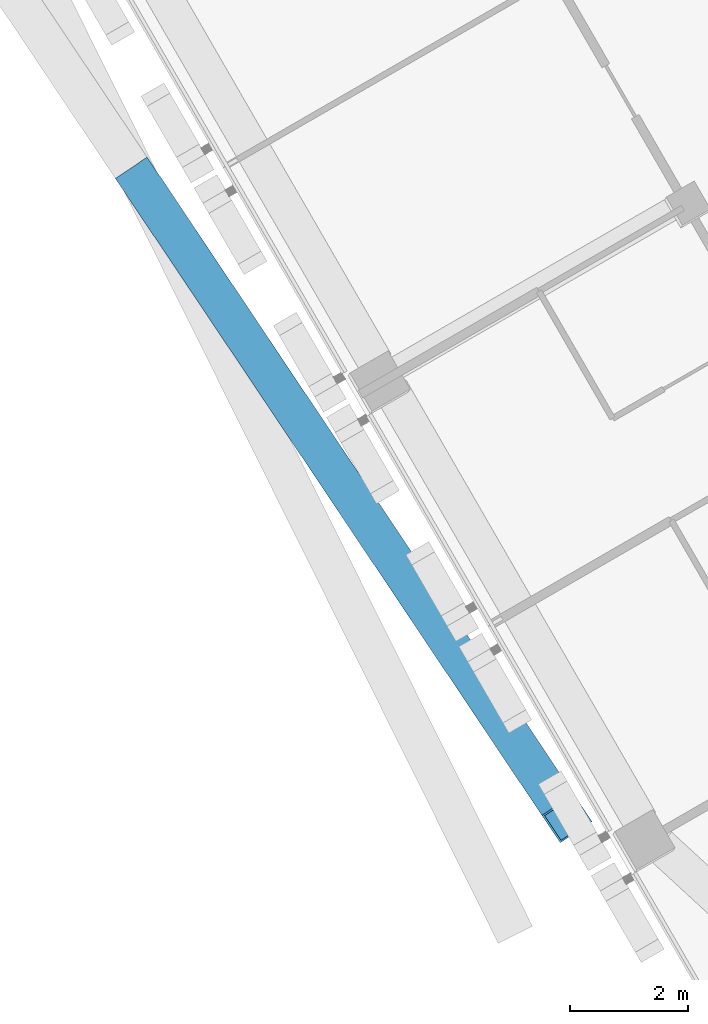
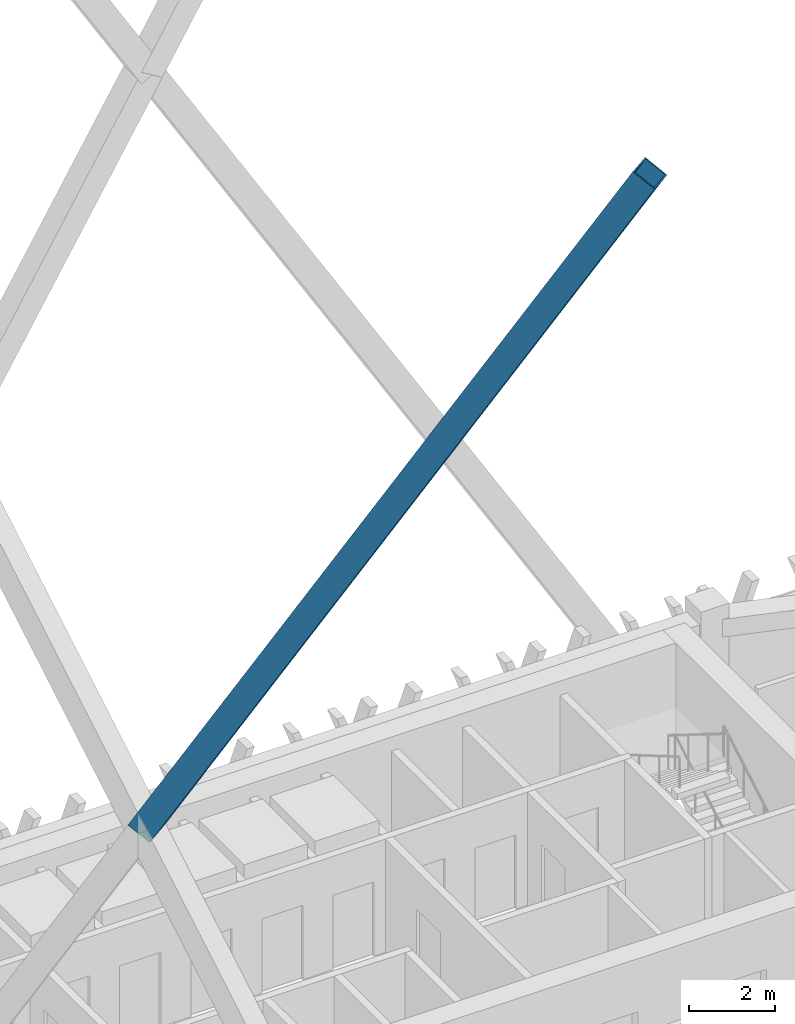
# One storey, part 3 of 22: 1 member.
"""IFC4 building model written with IfcOpenShell, lengths in metres."""

from ifc_helpers import new_model, si_unit, direction, frame, origin, origin_2d, place, context, subcontext, project, spatial, hollow_rectangle, extrude, material, material_profile, profile_set, type_object, element, save


model = new_model("IFC4")

# Units and contexts
model_context = context("Model", 3, precision=1e-05, world=origin(), true_north=direction((0.0, 1.0)))
body_context = subcontext(model_context, "Body", "Model", "MODEL_VIEW")
ifc_project = project(units=[si_unit("LENGTHUNIT", "METRE"), si_unit("AREAUNIT", "SQUARE_METRE"), si_unit("VOLUMEUNIT", "CUBIC_METRE"), si_unit("PLANEANGLEUNIT", "RADIAN"), si_unit("MASSUNIT", "GRAM", prefix="KILO")], contexts=[model_context])

# Site, building, storey
site_placement = place(None, origin())
site = spatial("IfcSite", under=ifc_project, at=site_placement, CompositionType="ELEMENT")
building_placement = place(site_placement, origin())
building = spatial("IfcBuilding", under=site, at=building_placement, Name="Altiplano Prism Tower", CompositionType="ELEMENT")
storey_placement = place(building_placement, frame((0.0, 0.0, 219.39990234375)))
storey = spatial("IfcBuildingStorey", under=building, at=storey_placement, Name="L56", CompositionType="ELEMENT", Elevation=219.39990234375)

# Member
ifc_material = material(Name="Steel S355", Category="steel")
ifc_material_profile = material_profile(ifc_material, hollow_rectangle(XDim=0.64990234375, YDim=0.64990234375, WallThickness=0.034912109375, at=origin_2d()), Name="Mega brace Box 650x650x35")
ifc_profile_set = profile_set([ifc_material_profile], Name="Steel S355")
member_type = type_object("IfcMemberType", Name="Mega brace Box 650x650x35", PredefinedType="BRACE", material=ifc_profile_set)
member_placement = place(storey_placement, frame((69.68310546875, 80.67041015625, 21.75), z_axis=(0.278845609489, -0.416362243074, 0.865382925999), x_axis=(0.83087801477, 0.556454602436, 0.0)))
element("IfcMember", 1, at=member_placement, inside=storey, type_object=member_type, Name="Mega brace 6.1.2", PredefinedType="BRACE", context=body_context, shape_type="SweptSolid", body=[
    extrude(hollow_rectangle(XDim=0.64990234375, YDim=0.64990234375, WallThickness=0.034912109375, at=origin_2d()), origin(), (0.0, 0.0, 1.0), 26.0),
])

save(model, "model.ifc")
